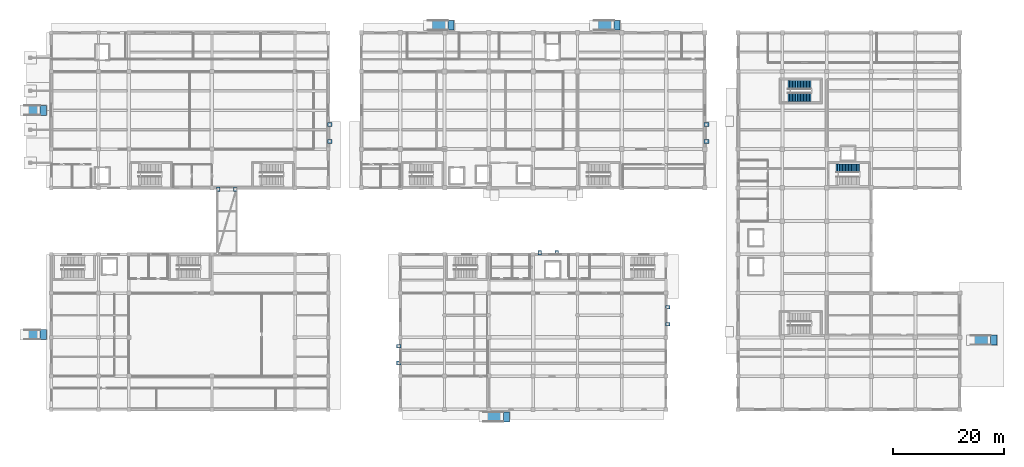
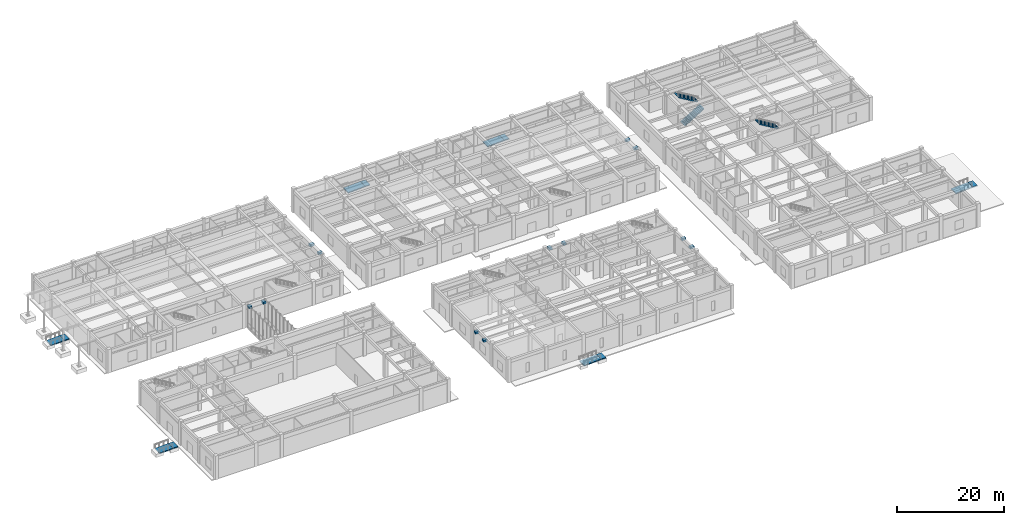
# One storey, part 31 of 40: 12 discrete accessories, 6 ramps, 6 ramp flights, 3 stair flights, 2 elements without a shape of their own.
"""IFC4 building model written with IfcOpenShell, lengths in metres."""

import ifcopenshell
import ifcopenshell.guid

model = None  # the IFC model being written
_history = None  # IfcOwnerHistory: only IFC2X3 demands one
_inside = {}  # id of a spatial element -> (the spatial element, [elements in it])
_under = {}  # id of a project, library or spatial element -> (it, [spatial elements below it])
_declared = {}  # id of a project -> (the project, [libraries it declares])
_typed = {}  # id of a type object -> (the type object, [elements of that type])
_made_of = {}  # id of a material, layer set ... -> (it, [elements and type objects made of it])


def new_model(schema):
    """Start an empty IFC model of exactly this schema.

    Asked for "IFC4X3", IfcOpenShell would pick the latest addendum, in which some entities
    have other attributes; the version numbers below select the first issue.
    IFC2X3 requires an IfcOwnerHistory on every rooted entity: one is made here for all.
    """
    global model, _history
    if schema == "IFC4X3":
        model = ifcopenshell.file(schema_version=(4, 3, 0, 0))
    else:
        model = ifcopenshell.file(schema=schema)
    _inside.clear()
    _under.clear()
    _declared.clear()
    _typed.clear()
    _made_of.clear()
    _history = None
    if model.schema == "IFC2X3":
        org = make("IfcOrganization", Name="unknown")
        user = make(
            "IfcPersonAndOrganization",
            ThePerson=make("IfcPerson", FamilyName="unknown"),
            TheOrganization=org,
        )
        app = make(
            "IfcApplication",
            ApplicationDeveloper=org,
            Version="unknown",
            ApplicationFullName="unknown",
            ApplicationIdentifier="unknown",
        )
        _history = make(
            "IfcOwnerHistory",
            OwningUser=user,
            OwningApplication=app,
            ChangeAction="ADDED",
            CreationDate=0,
        )
    return model


def make(cls, **values):
    """One entity of the class cls with the attributes given. An attribute that is None is left unset."""
    return model.create_entity(
        cls, **{name: value for name, value in values.items() if value is not None}
    )


def rooted(cls, **values):
    """An entity with a GlobalId (a new one), such as an element, a storey or a relation."""
    return make(cls, GlobalId=ifcopenshell.guid.new(), OwnerHistory=_history, **values)


def si_unit(unit_type, name, prefix=None):
    """IfcSIUnit, for example si_unit("LENGTHUNIT", "METRE", prefix="MILLI")."""
    return make("IfcSIUnit", UnitType=unit_type, Prefix=prefix, Name=name)


def assignment(units):
    """IfcUnitAssignment: the units of a project."""
    return None if units is None else make("IfcUnitAssignment", Units=units)


def point(xyz):
    """IfcCartesianPoint."""
    return None if xyz is None else make("IfcCartesianPoint", Coordinates=xyz)


def direction(xyz):
    """IfcDirection."""
    return None if xyz is None else make("IfcDirection", DirectionRatios=xyz)


def frame(location, z_axis=None, x_axis=None):
    """IfcAxis2Placement3D, a coordinate frame: its origin and axes. An axis left out is left unset."""
    return make(
        "IfcAxis2Placement3D",
        Location=point(location),
        Axis=direction(z_axis),
        RefDirection=direction(x_axis),
    )


def frame_2d(location, x_axis=None):
    """IfcAxis2Placement2D, a coordinate frame in the plane: its origin and x axis."""
    return make(
        "IfcAxis2Placement2D", Location=point(location), RefDirection=direction(x_axis)
    )


def origin():
    """The frame at (0, 0, 0) with its axes left unset."""
    return frame((0.0, 0.0, 0.0))


def origin_2d():
    """The frame at (0, 0) in the plane with its x axis left unset."""
    return frame_2d((0.0, 0.0))


def place(relative_to, where):
    """IfcLocalPlacement: puts the frame where relative to a parent placement (None: the world)."""
    return make(
        "IfcLocalPlacement", PlacementRelTo=relative_to, RelativePlacement=where
    )


def context(
    kind, dimensions, precision=None, world=None, true_north=None, identifier=None
):
    """IfcGeometricRepresentationContext, for example the 3D "Model" context."""
    return make(
        "IfcGeometricRepresentationContext",
        ContextIdentifier=identifier,
        ContextType=kind,
        CoordinateSpaceDimension=dimensions,
        Precision=precision,
        WorldCoordinateSystem=world,
        TrueNorth=true_north,
    )


def subcontext(parent, identifier, kind, view, scale=None):
    """IfcGeometricRepresentationSubContext, for example "Body" below "Model"."""
    return make(
        "IfcGeometricRepresentationSubContext",
        ContextIdentifier=identifier,
        ContextType=kind,
        ParentContext=parent,
        TargetScale=scale,
        TargetView=view,
    )


def project(units=None, contexts=None):
    """IfcProject with its units and contexts."""
    return rooted(
        "IfcProject",
        Name="project",
        RepresentationContexts=contexts,
        UnitsInContext=assignment(units),
    )


def spatial(cls, under=None, at=None, **own):
    """A site, building, storey or space (cls), placed at a placement, below another one or the project."""
    s = rooted(cls, ObjectPlacement=at, **own)
    if under is not None:
        _under.setdefault(under.id(), (under, []))[1].append(s)
    return s


def polyline(points):
    """IfcPolyline through the points."""
    return make("IfcPolyline", Points=[point(p) for p in points])


def profile(cls, at=None, kind="AREA", **sizes):
    """A parametric profile (cls). Its sizes go by their IFC names, for example OverallWidth=200.0."""
    return make(cls, ProfileType=kind, Position=at, **sizes)


def rectangle(**sizes):
    """IfcRectangleProfileDef."""
    return profile("IfcRectangleProfileDef", **sizes)


def outline(outer, holes=None, kind="AREA"):
    """IfcArbitraryClosedProfileDef: a profile drawn as a closed curve; with holes, ...WithVoids."""
    if holes is None:
        return make("IfcArbitraryClosedProfileDef", ProfileType=kind, OuterCurve=outer)
    return make(
        "IfcArbitraryProfileDefWithVoids",
        ProfileType=kind,
        OuterCurve=outer,
        InnerCurves=holes,
    )


def extrude(swept, where, along, depth):
    """IfcExtrudedAreaSolid: the profile swept, set in the frame where, extruded along a direction by depth."""
    return make(
        "IfcExtrudedAreaSolid",
        SweptArea=swept,
        Position=where,
        ExtrudedDirection=direction(along),
        Depth=depth,
    )


def shape(context_of_items, identifier, shape_type, items):
    """IfcShapeRepresentation: the items that make up one representation, for example the "Body"."""
    return make(
        "IfcShapeRepresentation",
        ContextOfItems=context_of_items,
        RepresentationIdentifier=identifier,
        RepresentationType=shape_type,
        Items=items,
    )


def material(Name=None, Category=None):
    """IfcMaterial."""
    return make("IfcMaterial", Name=Name, Category=Category)


def layer(
    of_material, thickness, ventilated=None, Name=None, Category=None, Priority=None
):
    """IfcMaterialLayer: one layer of a wall or slab, of a material (None: an air gap)."""
    return make(
        "IfcMaterialLayer",
        Material=of_material,
        LayerThickness=thickness,
        IsVentilated=ventilated,
        Name=Name,
        Category=Category,
        Priority=Priority,
    )


def layer_set(layers, Name=None):
    """IfcMaterialLayerSet."""
    return make("IfcMaterialLayerSet", MaterialLayers=layers, LayerSetName=Name)


def made_of(thing, what):
    """Note that an element or type object is made of a material, layer set ...; save() writes the relation."""
    if what is not None:
        _made_of.setdefault(what.id(), (what, []))[1].append(thing)
    return thing


def type_object(cls, material=None, **own):
    """A type object (cls), such as IfcWallType, which elements share."""
    return made_of(rooted(cls, **own), material)


def element(
    cls,
    number,
    at=None,
    inside=None,
    cuts=None,
    type_object=None,
    material=None,
    context=None,
    identifier="Body",
    shape_type=None,
    held_by="IfcProductDefinitionShape",
    body=None,
    shapes=None,
    **own,
):
    """One element of the class cls, such as IfcWall. Its Tag is "e" and its number.

    at: its placement. inside: the storey or other place that contains it. cuts: it is an
    opening in that element (IfcRelVoidsElement). A single representation is given by context,
    identifier, shape_type and body (its items); several are given by shapes. held_by: the class
    of the entity that holds the representations. save() writes the other relations.
    """
    e = rooted(cls, Tag="e%d" % number, ObjectPlacement=at, **own)
    if body is not None:
        shapes = [shape(context, identifier, shape_type, body)]
    if shapes is not None:
        e.Representation = make(held_by, Representations=shapes)
    if inside is not None:
        _inside.setdefault(inside.id(), (inside, []))[1].append(e)
    if cuts is not None:
        rooted(
            "IfcRelVoidsElement", RelatingBuildingElement=cuts, RelatedOpeningElement=e
        )
    if type_object is not None:
        _typed.setdefault(type_object.id(), (type_object, []))[1].append(e)
    return made_of(e, material)


def aggregate(whole, parts):
    """IfcRelAggregates: a whole, such as a stair, and the parts it consists of."""
    return rooted("IfcRelAggregates", RelatingObject=whole, RelatedObjects=parts)


def save(model, path):
    """Write the relations noted so far, then the file.

    IfcRelAggregates (storeys below a building ...), IfcRelContainedInSpatialStructure (elements
    in a storey), IfcRelDefinesByType, IfcRelAssociatesMaterial and IfcRelDeclares: one each for
    every whole, place, type object, material and project.
    """
    for whole, parts in _under.values():
        aggregate(whole, parts)
    for where, things in _inside.values():
        rooted(
            "IfcRelContainedInSpatialStructure",
            RelatedElements=things,
            RelatingStructure=where,
        )
    for kind, things in _typed.values():
        rooted("IfcRelDefinesByType", RelatedObjects=things, RelatingType=kind)
    for what, things in _made_of.values():
        rooted("IfcRelAssociatesMaterial", RelatedObjects=things, RelatingMaterial=what)
    for by, libraries in _declared.values():
        rooted("IfcRelDeclares", RelatingContext=by, RelatedDefinitions=libraries)
    model.write(path)


model = new_model("IFC4")

# Units and contexts
model_context = context("Model", 3, precision=1e-05, world=origin(), true_north=direction((0.0, 1.0)))
body_context = subcontext(model_context, "Body", "Model", "MODEL_VIEW")
ifc_project = project(units=[si_unit("LENGTHUNIT", "METRE"), si_unit("AREAUNIT", "SQUARE_METRE"), si_unit("VOLUMEUNIT", "CUBIC_METRE"), si_unit("PLANEANGLEUNIT", "RADIAN"), si_unit("MASSUNIT", "GRAM", prefix="KILO")], contexts=[model_context])

# Site, building, storey
site_placement = place(None, origin())
site = spatial("IfcSite", under=ifc_project, at=site_placement, CompositionType="ELEMENT")
building_placement = place(site_placement, origin())
building = spatial("IfcBuilding", under=site, at=building_placement, Name="Naurynzar Civic Courthouse", CompositionType="ELEMENT")
storey_placement = place(building_placement, origin())
storey = spatial("IfcBuildingStorey", under=building, at=storey_placement, Name="L01", CompositionType="ELEMENT", Elevation=0.0)

# Stair, stair flight
ifc_material_1 = material(Name="Concrete C35/45", Category="concrete")
stair_type_1 = type_object("IfcStairType", Name="STAIR-CUS-1550", PredefinedType="TWO_STRAIGHT_RUN_STAIR", material=ifc_material_1)
stair_1_placement = place(storey_placement, origin())
stair_1 = element("IfcStair", 1, at=stair_1_placement, inside=storey, type_object=stair_type_1, Name="Enclosed escape stair ST-CUS L01", PredefinedType="TWO_STRAIGHT_RUN_STAIR")
ifc_material_2 = material(Name="Concrete C35/45", Category="concrete")
stair_flight_type_1 = type_object("IfcStairFlightType", Name="FLIGHT-RC-1550", PredefinedType="STRAIGHT", material=ifc_material_2)
stair_flight_1_placement = place(storey_placement, frame((151.89990234375, 47.544921875, 2.699951171875), z_axis=(0.0, 0.0, 1.0), x_axis=(-1.0, 0.0, 0.0)))
stair_flight_1 = element("IfcStairFlight", 2, at=stair_flight_1_placement, type_object=stair_flight_type_1, Name="ST-CUS-L01 flight 2", NumberOfRisers=16, NumberOfTreads=15, PredefinedType="STRAIGHT", RiserHeight=0.16875, TreadLength=0.28, context=body_context, shape_type="SweptSolid", body=[
    extrude(outline(polyline([(0.0, 0.0), (0.0, 0.168701171875), (0.280029296875, 0.168701171875), (0.280029296875, 0.33740234375), (0.56005859375, 0.33740234375), (0.56005859375, 0.50634765625), (0.840087890625, 0.50634765625), (0.840087890625, 0.675048828125), (1.1201171875, 0.675048828125), (1.1201171875, 0.84375), (1.39990234375, 0.84375), (1.39990234375, 1.012451171875), (1.679931640625, 1.012451171875), (1.679931640625, 1.18115234375), (1.9599609375, 1.18115234375), (1.9599609375, 1.35009765625), (2.239990234375, 1.35009765625), (2.239990234375, 1.518798828125), (2.52001953125, 1.518798828125), (2.52001953125, 1.6875), (2.800048828125, 1.6875), (2.800048828125, 1.856201171875), (3.080078125, 1.856201171875), (3.080078125, 2.02490234375), (3.360107421875, 2.02490234375), (3.360107421875, 2.19384765625), (3.639892578125, 2.19384765625), (3.639892578125, 2.362548828125), (3.919921875, 2.362548828125), (3.919921875, 2.53125), (4.199951171875, 2.53125), (4.199951171875, 2.699951171875), (4.199951171875, 2.3212890625), (0.3486328125, 0.0), (0.0, 0.0)])), frame((0.0, 0.77490234375, 0.0), z_axis=(0.0, -1.0, 0.0), x_axis=(1.0, 0.0, 0.0)), (0.0, 0.0, 1.0), 1.550048828125),
])
aggregate(stair_1, [stair_flight_1])

# Stair, stair flights
ifc_material_3 = material(Name="Concrete C35/45", Category="concrete")
stair_type_2 = type_object("IfcStairType", Name="STAIR-CORE-1600", PredefinedType="TWO_STRAIGHT_RUN_STAIR", material=ifc_material_3)
stair_2_placement = place(storey_placement, origin())
stair_2 = element("IfcStair", 3, at=stair_2_placement, inside=storey, type_object=stair_type_2, Name="Enclosed escape stair ST-V5B L01", PredefinedType="TWO_STRAIGHT_RUN_STAIR")
ifc_material_4 = material(Name="Concrete C35/45", Category="concrete")
stair_flight_type_2 = type_object("IfcStairFlightType", Name="FLIGHT-RC-1600", PredefinedType="STRAIGHT", material=ifc_material_4)
stair_flight_2_placement = place(storey_placement, frame((139.0, 60.3798828125, 0.0), z_axis=(0.0, 0.0, 1.0), x_axis=(1.0, 0.0, 0.0)))
stair_flight_2 = element("IfcStairFlight", 4, at=stair_flight_2_placement, type_object=stair_flight_type_2, Name="ST-V5B-L01 flight 1", NumberOfRisers=16, NumberOfTreads=15, PredefinedType="STRAIGHT", RiserHeight=0.16875, TreadLength=0.28, context=body_context, shape_type="SweptSolid", body=[
    extrude(outline(polyline([(0.0, 0.0), (0.0, 0.168701171875), (0.280029296875, 0.168701171875), (0.280029296875, 0.33740234375), (0.56005859375, 0.33740234375), (0.56005859375, 0.50634765625), (0.840087890625, 0.50634765625), (0.840087890625, 0.675048828125), (1.1201171875, 0.675048828125), (1.1201171875, 0.84375), (1.39990234375, 0.84375), (1.39990234375, 1.012451171875), (1.679931640625, 1.012451171875), (1.679931640625, 1.18115234375), (1.9599609375, 1.18115234375), (1.9599609375, 1.35009765625), (2.239990234375, 1.35009765625), (2.239990234375, 1.518798828125), (2.52001953125, 1.518798828125), (2.52001953125, 1.6875), (2.800048828125, 1.6875), (2.800048828125, 1.856201171875), (3.080078125, 1.856201171875), (3.080078125, 2.02490234375), (3.360107421875, 2.02490234375), (3.360107421875, 2.19384765625), (3.639892578125, 2.19384765625), (3.639892578125, 2.362548828125), (3.919921875, 2.362548828125), (3.919921875, 2.53125), (4.199951171875, 2.53125), (4.199951171875, 2.699951171875), (4.199951171875, 2.3212890625), (0.3486328125, 0.0), (0.0, 0.0)])), frame((0.0, 0.800048828125, 0.0), z_axis=(0.0, -1.0, 0.0), x_axis=(1.0, 0.0, 0.0)), (0.0, 0.0, 1.0), 1.60009765625),
])
stair_flight_3_placement = place(storey_placement, frame((143.199951171875, 62.6201171875, 2.699951171875), z_axis=(0.0, 0.0, 1.0), x_axis=(-1.0, 0.0, 0.0)))
stair_flight_3 = element("IfcStairFlight", 5, at=stair_flight_3_placement, type_object=stair_flight_type_2, Name="ST-V5B-L01 flight 2", NumberOfRisers=16, NumberOfTreads=15, PredefinedType="STRAIGHT", RiserHeight=0.16875, TreadLength=0.28, context=body_context, shape_type="SweptSolid", body=[
    extrude(outline(polyline([(0.0, 0.0), (0.0, 0.168701171875), (0.280029296875, 0.168701171875), (0.280029296875, 0.33740234375), (0.56005859375, 0.33740234375), (0.56005859375, 0.50634765625), (0.840087890625, 0.50634765625), (0.840087890625, 0.675048828125), (1.1201171875, 0.675048828125), (1.1201171875, 0.84375), (1.39990234375, 0.84375), (1.39990234375, 1.012451171875), (1.679931640625, 1.012451171875), (1.679931640625, 1.18115234375), (1.9599609375, 1.18115234375), (1.9599609375, 1.35009765625), (2.239990234375, 1.35009765625), (2.239990234375, 1.518798828125), (2.52001953125, 1.518798828125), (2.52001953125, 1.6875), (2.800048828125, 1.6875), (2.800048828125, 1.856201171875), (3.080078125, 1.856201171875), (3.080078125, 2.02490234375), (3.360107421875, 2.02490234375), (3.360107421875, 2.19384765625), (3.639892578125, 2.19384765625), (3.639892578125, 2.362548828125), (3.919921875, 2.362548828125), (3.919921875, 2.53125), (4.199951171875, 2.53125), (4.199951171875, 2.699951171875), (4.199951171875, 2.3212890625), (0.3486328125, 0.0), (0.0, 0.0)])), frame((0.0, 0.800048828125, 0.0), z_axis=(0.0, -1.0, 0.0), x_axis=(1.0, 0.0, 0.0)), (0.0, 0.0, 1.0), 1.60009765625),
])
aggregate(stair_2, [stair_flight_2, stair_flight_3])

# Ramp
ifc_material_5 = material(Name="Concrete C35/45", Category="concrete")
ramp_type = type_object("IfcRampType", Name="RMP-ACC-1800", PredefinedType="STRAIGHT_RUN_RAMP", material=ifc_material_5)
ramp_1_placement = place(storey_placement, frame((4.550048828125, 58.0, -0.22021484375), z_axis=(0.0, 0.0, 1.0), x_axis=(1.0, 0.0, 0.0)))
ramp_1 = element("IfcRamp", 6, at=ramp_1_placement, inside=storey, type_object=ramp_type, Name="Accessible entrance ramp RMP-01", PredefinedType="STRAIGHT_RUN_RAMP", context=body_context, shape_type="SweptSolid", body=[
    extrude(rectangle(XDim=1.10009765625, YDim=1.800048828125, at=origin_2d()), origin(), (0.0, 0.0, 1.0), 0.219970703125),
])

ramp_2_placement = place(storey_placement, frame((4.550048828125, 17.5, -0.22021484375), z_axis=(0.0, 0.0, 1.0), x_axis=(1.0, 0.0, 0.0)))
ramp_2 = element("IfcRamp", 7, at=ramp_2_placement, inside=storey, type_object=ramp_type, Name="Accessible entrance ramp RMP-02", PredefinedType="STRAIGHT_RUN_RAMP", context=body_context, shape_type="SweptSolid", body=[
    extrude(rectangle(XDim=1.10009765625, YDim=1.800048828125, at=origin_2d()), origin(), (0.0, 0.0, 1.0), 0.219970703125),
])

ramp_3_placement = place(storey_placement, frame((78.14990234375, 73.35009765625, -0.22021484375), z_axis=(0.0, 0.0, 1.0), x_axis=(1.0, 0.0, 0.0)))
ramp_3 = element("IfcRamp", 8, at=ramp_3_placement, inside=storey, type_object=ramp_type, Name="Accessible entrance ramp RMP-03", PredefinedType="STRAIGHT_RUN_RAMP", context=body_context, shape_type="SweptSolid", body=[
    extrude(rectangle(XDim=1.10009765625, YDim=1.800048828125, at=origin_2d()), origin(), (0.0, 0.0, 1.0), 0.219970703125),
])

ramp_4_placement = place(storey_placement, frame((108.14990234375, 73.35009765625, -0.22021484375), z_axis=(0.0, 0.0, 1.0), x_axis=(1.0, 0.0, 0.0)))
ramp_4 = element("IfcRamp", 9, at=ramp_4_placement, inside=storey, type_object=ramp_type, Name="Accessible entrance ramp RMP-04", PredefinedType="STRAIGHT_RUN_RAMP", context=body_context, shape_type="SweptSolid", body=[
    extrude(rectangle(XDim=1.10009765625, YDim=1.800048828125, at=origin_2d()), origin(), (0.0, 0.0, 1.0), 0.219970703125),
])

ramp_5_placement = place(storey_placement, frame((88.14990234375, 2.64990234375, -0.22021484375), z_axis=(0.0, 0.0, 1.0), x_axis=(1.0, 0.0, 0.0)))
ramp_5 = element("IfcRamp", 10, at=ramp_5_placement, inside=storey, type_object=ramp_type, Name="Accessible entrance ramp RMP-05", PredefinedType="STRAIGHT_RUN_RAMP", context=body_context, shape_type="SweptSolid", body=[
    extrude(rectangle(XDim=1.10009765625, YDim=1.800048828125, at=origin_2d()), origin(), (0.0, 0.0, 1.0), 0.219970703125),
])

ramp_6_placement = place(storey_placement, frame((176.14990234375, 16.5, -0.22021484375), z_axis=(0.0, 0.0, 1.0), x_axis=(1.0, 0.0, 0.0)))
ramp_6 = element("IfcRamp", 11, at=ramp_6_placement, inside=storey, type_object=ramp_type, Name="Accessible entrance ramp RMP-06", PredefinedType="STRAIGHT_RUN_RAMP", context=body_context, shape_type="SweptSolid", body=[
    extrude(rectangle(XDim=1.10009765625, YDim=1.800048828125, at=origin_2d()), origin(), (0.0, 0.0, 1.0), 0.219970703125),
])

# Ramp flight
ifc_material_6 = material(Name="Concrete C35/45", Category="concrete")
ifc_layer = layer(ifc_material_6, 0.219970703125)
ifc_layer_set = layer_set([ifc_layer], Name="RMPF-ACC-1800")
ramp_flight_type = type_object("IfcRampFlightType", Name="RMPF-ACC-1800", PredefinedType="STRAIGHT", material=ifc_layer_set)
ramp_flight_1_placement = place(storey_placement, frame((1.14990234375, 57.10009765625, -0.142578125), z_axis=(-0.04996321896, 0.0, 0.998751058448), x_axis=(0.998751058448, 0.0, 0.04996321896)))
ramp_flight_1 = element("IfcRampFlight", 12, at=ramp_flight_1_placement, type_object=ramp_flight_type, Name="Accessible ramp flight RMP-01", PredefinedType="STRAIGHT", context=body_context, shape_type="SweptSolid", body=[
    extrude(outline(polyline([(0.0, 0.0), (2.853661712938354, 0.0), (2.853661712938354, 1.7998046875000004), (0.0, 1.7998046875000004), (0.0, 0.0)])), origin(), (0.0, 0.0, -1.0), 0.219970703125),
])

aggregate(ramp_1, [ramp_flight_1])

ramp_flight_2_placement = place(storey_placement, frame((1.14990234375, 16.60009765625, -0.142578125), z_axis=(-0.04996321896, 0.0, 0.998751058448), x_axis=(0.998751058448, 0.0, 0.04996321896)))
ramp_flight_2 = element("IfcRampFlight", 13, at=ramp_flight_2_placement, type_object=ramp_flight_type, Name="Accessible ramp flight RMP-02", PredefinedType="STRAIGHT", context=body_context, shape_type="SweptSolid", body=[
    extrude(outline(polyline([(0.0, 0.0), (2.853661712938354, 0.0), (2.853661712938354, 1.7998046875000004), (0.0, 1.7998046875000004), (0.0, 0.0)])), origin(), (0.0, 0.0, -1.0), 0.219970703125),
])

aggregate(ramp_2, [ramp_flight_2])

ramp_flight_3_placement = place(storey_placement, frame((74.0, 72.449951171875, -0.179931640625), z_axis=(-0.049917348467, 0.0, 0.998753352096), x_axis=(0.998753352096, 0.0, 0.049917348467)))
ramp_flight_3 = element("IfcRampFlight", 14, at=ramp_flight_3_placement, type_object=ramp_flight_type, Name="Accessible ramp flight RMP-03", PredefinedType="STRAIGHT", context=body_context, shape_type="SweptSolid", body=[
    extrude(outline(polyline([(0.0, 0.0), (3.604591312456205, 0.0), (3.604591312456205, 1.800048828125), (0.0, 1.800048828125), (0.0, 0.0)])), origin(), (0.0, 0.0, -1.0), 0.219970703125),
])

aggregate(ramp_3, [ramp_flight_3])

ramp_flight_4_placement = place(storey_placement, frame((104.0, 72.449951171875, -0.179931640625), z_axis=(-0.049917348467, 0.0, 0.998753352096), x_axis=(0.998753352096, 0.0, 0.049917348467)))
ramp_flight_4 = element("IfcRampFlight", 15, at=ramp_flight_4_placement, type_object=ramp_flight_type, Name="Accessible ramp flight RMP-04", PredefinedType="STRAIGHT", context=body_context, shape_type="SweptSolid", body=[
    extrude(outline(polyline([(0.0, 0.0), (3.604591312456205, 0.0), (3.604591312456205, 1.800048828125), (0.0, 1.800048828125), (0.0, 0.0)])), origin(), (0.0, 0.0, -1.0), 0.219970703125),
])

aggregate(ramp_4, [ramp_flight_4])

ramp_flight_5_placement = place(storey_placement, frame((84.0, 1.75, -0.179931640625), z_axis=(-0.049917348467, 0.0, 0.998753352096), x_axis=(0.998753352096, 0.0, 0.049917348467)))
ramp_flight_5 = element("IfcRampFlight", 16, at=ramp_flight_5_placement, type_object=ramp_flight_type, Name="Accessible ramp flight RMP-05", PredefinedType="STRAIGHT", context=body_context, shape_type="SweptSolid", body=[
    extrude(outline(polyline([(0.0, 0.0), (3.604591312456205, 0.0), (3.604591312456205, 1.800048828125), (0.0, 1.800048828125), (0.0, 0.0)])), origin(), (0.0, 0.0, -1.0), 0.219970703125),
])

aggregate(ramp_5, [ramp_flight_5])

ramp_flight_6_placement = place(storey_placement, frame((172.0, 15.60009765625, -0.179931640625), z_axis=(-0.049917348467, 0.0, 0.998753352096), x_axis=(0.998753352096, 0.0, 0.049917348467)))
ramp_flight_6 = element("IfcRampFlight", 17, at=ramp_flight_6_placement, type_object=ramp_flight_type, Name="Accessible ramp flight RMP-06", PredefinedType="STRAIGHT", context=body_context, shape_type="SweptSolid", body=[
    extrude(outline(polyline([(0.0, 0.0), (3.604591312456205, 0.0), (3.604591312456205, 1.7998046875000004), (0.0, 1.7998046875000004), (0.0, 0.0)])), origin(), (0.0, 0.0, -1.0), 0.219970703125),
])

aggregate(ramp_6, [ramp_flight_6])

# Discrete accessories
ifc_material_7 = material(Name="Concrete C40/50", Category="concrete")
discrete_accessory_type = type_object("IfcDiscreteAccessoryType", Name="CORB-RC-850", PredefinedType="BRACKET", material=ifc_material_7)
for number, where, z_axis, x_axis, name in (
    (18, (36.169921875, 43.72509765625, 4.2998046875), (0.0, 0.0, 1.0), (1.0, 0.0, 0.0), "BR-W1 850mm RC seismic bridge corbel seat L02.1"),
    (19, (39.22998046875, 43.72509765625, 4.2998046875), (0.0, 0.0, 1.0), (1.0, 0.0, 0.0), "BR-W1 850mm RC seismic bridge corbel seat L02.2"),
):
    element("IfcDiscreteAccessory", number, at=place(storey_placement, frame(where, z_axis=z_axis, x_axis=x_axis)), inside=storey, type_object=discrete_accessory_type, Name=name, PredefinedType="BRACKET", context=body_context, shape_type="SweptSolid", body=[
        extrude(rectangle(XDim=0.64990234375, YDim=0.85009765625, at=origin_2d()), origin(), (0.0, 0.0, 1.0), 0.449951171875),
    ])
for number, where, z_axis, x_axis, name in (
    (20, (56.27490234375, 52.3701171875, 4.2998046875), (0.0, 0.0, 1.0), (1.0, 0.0, 0.0), "BR-N1 850mm RC seismic bridge corbel seat L02.1"),
    (21, (56.27490234375, 55.429931640625, 4.2998046875), (0.0, 0.0, 1.0), (1.0, 0.0, 0.0), "BR-N1 850mm RC seismic bridge corbel seat L02.2"),
):
    element("IfcDiscreteAccessory", number, at=place(storey_placement, frame(where, z_axis=z_axis, x_axis=x_axis)), inside=storey, type_object=discrete_accessory_type, Name=name, PredefinedType="BRACKET", context=body_context, shape_type="SweptSolid", body=[
        extrude(rectangle(XDim=0.85009765625, YDim=0.64990234375, at=origin_2d()), origin(), (0.0, 0.0, 1.0), 0.449951171875),
    ])
for number, where, z_axis, x_axis, name in (
    (22, (94.169921875, 32.27490234375, 4.2998046875), (0.0, 0.0, 1.0), (1.0, 0.0, 0.0), "BR-C1 850mm RC seismic bridge corbel seat L02.1"),
    (23, (97.22998046875, 32.27490234375, 4.2998046875), (0.0, 0.0, 1.0), (1.0, 0.0, 0.0), "BR-C1 850mm RC seismic bridge corbel seat L02.2"),
):
    element("IfcDiscreteAccessory", number, at=place(storey_placement, frame(where, z_axis=z_axis, x_axis=x_axis)), inside=storey, type_object=discrete_accessory_type, Name=name, PredefinedType="BRACKET", context=body_context, shape_type="SweptSolid", body=[
        extrude(rectangle(XDim=0.64990234375, YDim=0.85009765625, at=origin_2d()), origin(), (0.0, 0.0, 1.0), 0.449951171875),
    ])
for number, where, z_axis, x_axis, name in (
    (24, (68.72509765625, 12.3701171875, 4.2998046875), (0.0, 0.0, 1.0), (1.0, 0.0, 0.0), "BR-S1 850mm RC seismic bridge corbel seat L02.1"),
    (25, (68.72509765625, 15.429931640625, 4.2998046875), (0.0, 0.0, 1.0), (1.0, 0.0, 0.0), "BR-S1 850mm RC seismic bridge corbel seat L02.2"),
    (26, (124.27490234375, 52.3701171875, 4.2998046875), (0.0, 0.0, 1.0), (1.0, 0.0, 0.0), "BR-E1 850mm RC seismic bridge corbel seat L02.1"),
    (27, (124.27490234375, 55.429931640625, 4.2998046875), (0.0, 0.0, 1.0), (1.0, 0.0, 0.0), "BR-E1 850mm RC seismic bridge corbel seat L02.2"),
    (28, (117.27490234375, 19.3701171875, 4.2998046875), (0.0, 0.0, 1.0), (1.0, 0.0, 0.0), "BR-E2 850mm RC seismic bridge corbel seat L02.1"),
    (29, (117.27490234375, 22.429931640625, 4.2998046875), (0.0, 0.0, 1.0), (1.0, 0.0, 0.0), "BR-E2 850mm RC seismic bridge corbel seat L02.2"),
):
    element("IfcDiscreteAccessory", number, at=place(storey_placement, frame(where, z_axis=z_axis, x_axis=x_axis)), inside=storey, type_object=discrete_accessory_type, Name=name, PredefinedType="BRACKET", context=body_context, shape_type="SweptSolid", body=[
        extrude(rectangle(XDim=0.85009765625, YDim=0.64990234375, at=origin_2d()), origin(), (0.0, 0.0, 1.0), 0.449951171875),
    ])

save(model, "model.ifc")
